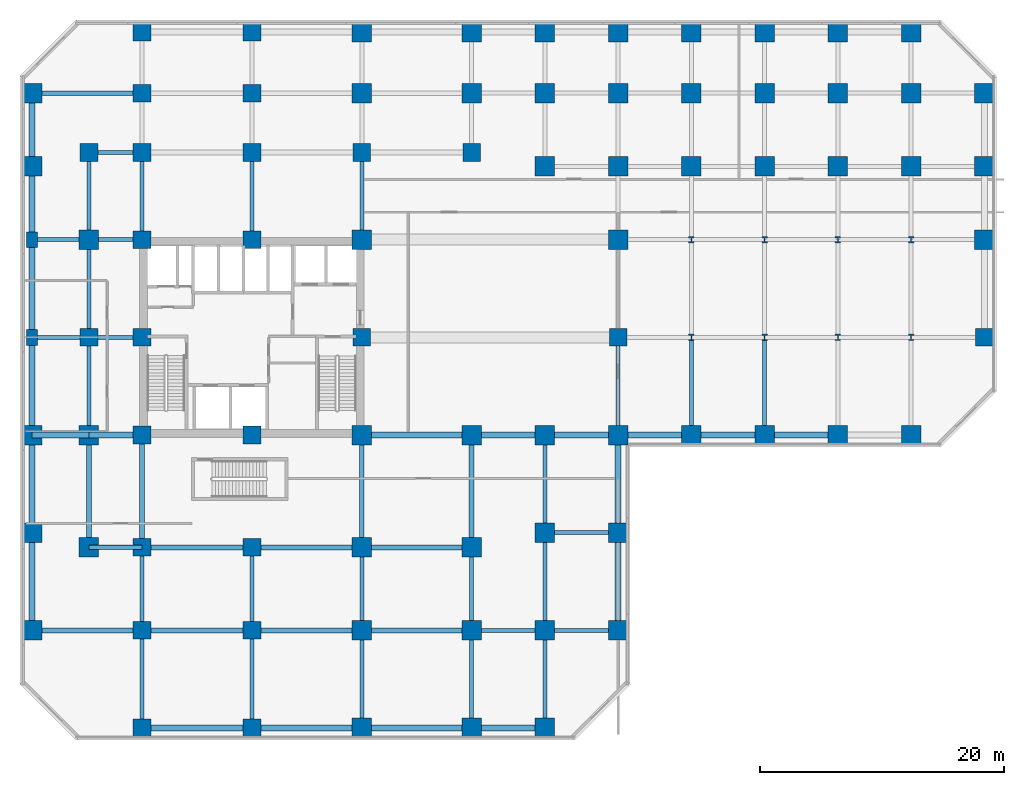
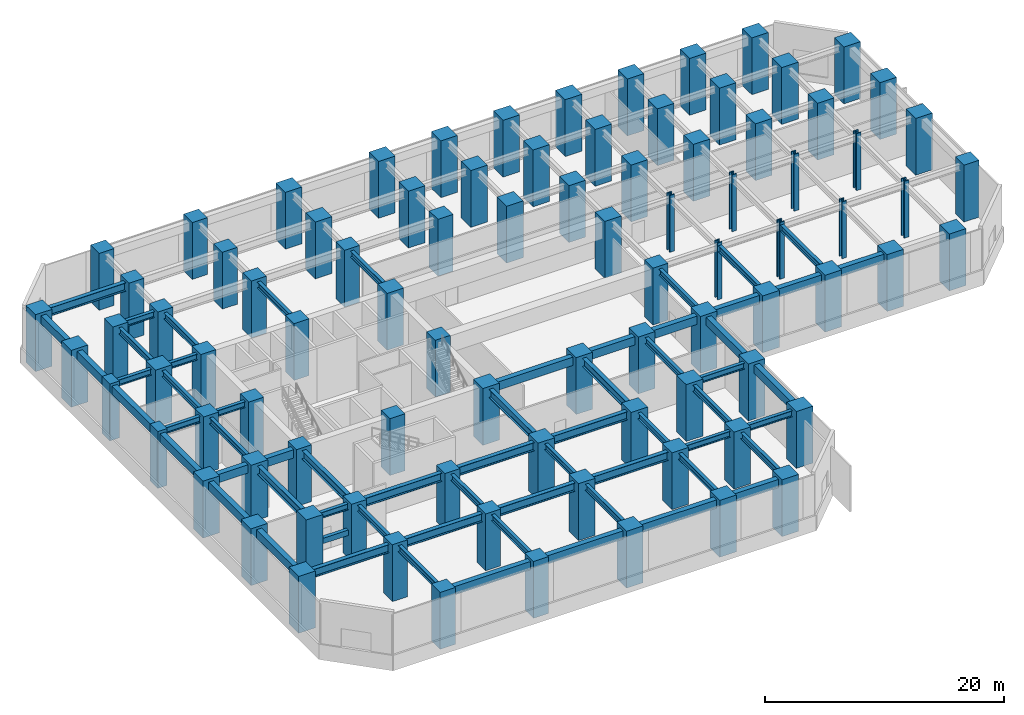
# One storey, part 1 of 12: 88 columns, 62 beams.
"""IFC4 building model written with IfcOpenShell, lengths in metres."""

from ifc_helpers import new_model, si_unit, direction, frame, origin, origin_2d, place, context, subcontext, project, spatial, rectangle, i_section, extrude, source, transform, mapped, material, material_profile, profile_set, type_object, element, save


model = new_model("IFC4")

# Units and contexts
model_context = context("Model", 3, precision=1e-05, world=origin(), true_north=direction((0.0, 1.0)))
body_context = subcontext(model_context, "Body", "Model", "MODEL_VIEW")
ifc_project = project(units=[si_unit("LENGTHUNIT", "METRE"), si_unit("AREAUNIT", "SQUARE_METRE"), si_unit("VOLUMEUNIT", "CUBIC_METRE"), si_unit("PLANEANGLEUNIT", "RADIAN"), si_unit("MASSUNIT", "GRAM", prefix="KILO")], contexts=[model_context])

# Site, building, storey
site_placement = place(None, origin())
site = spatial("IfcSite", under=ifc_project, at=site_placement, CompositionType="ELEMENT")
building_placement = place(site_placement, origin())
building = spatial("IfcBuilding", under=site, at=building_placement, Name="Torre Montelarca", CompositionType="ELEMENT")
storey_placement = place(building_placement, frame((0.0, 0.0, 22.199951171875)))
storey = spatial("IfcBuildingStorey", under=building, at=storey_placement, Name="L05", CompositionType="ELEMENT", Elevation=22.199951171875)

# Columns
ifc_material_1 = material(Name="Concrete C70/85", Category="concrete")
ifc_material_profile_1 = material_profile(ifc_material_1, rectangle(XDim=1.60009765625, YDim=1.60009765625, at=origin_2d()), Name="RC1600X1600", Category="concrete")
ifc_profile_set_1 = profile_set([ifc_material_profile_1], Name="Concrete C70/85")
column_type_1 = type_object("IfcColumnType", Name="COL-RC1600-EXT", PredefinedType="COLUMN", material=ifc_profile_set_1)
shared_shape_1 = source(origin(), body_context, "Body", "SweptSolid", [
    extrude(rectangle(XDim=1.60009765625, YDim=1.60009765625, at=origin_2d()), origin(), (0.0, 0.0, 1.0), 5.798583984375),
])
for number, where, z_axis, x_axis, name in (
    (1, (0.0, 8.0, 0.000732421875), (0.0, 0.0, 1.0), (1.0, 0.0, 0.0), "L05 Perimeter Mega Column 1/B"),
    (2, (0.0, 16.0, 0.000732421875), (0.0, 0.0, 1.0), (1.0, 0.0, 0.0), "L05 Perimeter Mega Column 1/C"),
    (3, (0.0, 24.0, 0.000732421875), (0.0, 0.0, 1.0), (1.0, 0.0, 0.0), "L05 Perimeter Mega Column 1/D"),
    (4, (0.0, 46.0, 0.000732421875), (0.0, 0.0, 1.0), (1.0, 0.0, 0.0), "L05 Perimeter Mega Column 1/G"),
    (5, (0.0, 52.0, 0.000732421875), (0.0, 0.0, 1.0), (1.0, 0.0, 0.0), "L05 Perimeter Mega Column 1/H"),
    (6, (27.0, 0.0, 0.000732421875), (0.0, 0.0, 1.0), (1.0, 0.0, 0.0), "L05 Perimeter Mega Column 4/A"),
    (7, (27.0, 24.0, 0.000732421875), (0.0, 0.0, 1.0), (1.0, 0.0, 0.0), "L05 Perimeter Mega Column 4/D"),
    (8, (27.0, 57.0, 0.000732421875), (0.0, 0.0, 1.0), (1.0, 0.0, 0.0), "L05 Perimeter Mega Column 4/J"),
    (9, (36.0, 0.0, 0.000732421875), (0.0, 0.0, 1.0), (1.0, 0.0, 0.0), "L05 Perimeter Mega Column 5/A"),
    (10, (36.0, 24.0, 0.000732421875), (0.0, 0.0, 1.0), (1.0, 0.0, 0.0), "L05 Perimeter Mega Column 5/D"),
    (11, (36.0, 57.0, 0.000732421875), (0.0, 0.0, 1.0), (1.0, 0.0, 0.0), "L05 Perimeter Mega Column 5/J"),
    (12, (42.0, 0.0, 0.000732421875), (0.0, 0.0, 1.0), (1.0, 0.0, 0.0), "L05 Perimeter Mega Column 6/A"),
    (13, (42.0, 24.0, 0.000732421875), (0.0, 0.0, 1.0), (1.0, 0.0, 0.0), "L05 Perimeter Mega Column 6/D"),
    (14, (42.0, 57.0, 0.000732421875), (0.0, 0.0, 1.0), (1.0, 0.0, 0.0), "L05 Perimeter Mega Column 6/J"),
    (15, (48.0, 8.0, 0.000732421875), (0.0, 0.0, 1.0), (1.0, 0.0, 0.0), "L05 Perimeter Mega Column 7/B"),
    (16, (48.0, 16.0, 0.000732421875), (0.0, 0.0, 1.0), (1.0, 0.0, 0.0), "L05 Perimeter Mega Column 7/C"),
    (17, (48.0, 24.0, 0.000732421875), (0.0, 0.0, 1.0), (1.0, 0.0, 0.0), "L05 Perimeter Mega Column 7/D"),
    (18, (48.0, 57.0, 0.000732421875), (0.0, 0.0, 1.0), (1.0, 0.0, 0.0), "L05 Perimeter Mega Column 7/J"),
    (19, (54.0, 24.0, 0.000732421875), (0.0, 0.0, 1.0), (1.0, 0.0, 0.0), "L05 Perimeter Mega Column 8/D"),
    (20, (54.0, 57.0, 0.000732421875), (0.0, 0.0, 1.0), (1.0, 0.0, 0.0), "L05 Perimeter Mega Column 8/J"),
    (21, (60.0, 24.0, 0.000732421875), (0.0, 0.0, 1.0), (1.0, 0.0, 0.0), "L05 Perimeter Mega Column 9/D"),
    (22, (60.0, 57.0, 0.000732421875), (0.0, 0.0, 1.0), (1.0, 0.0, 0.0), "L05 Perimeter Mega Column 9/J"),
    (23, (66.0, 24.0, 0.000732421875), (0.0, 0.0, 1.0), (1.0, 0.0, 0.0), "L05 Perimeter Mega Column 10/D"),
    (24, (66.0, 57.0, 0.000732421875), (0.0, 0.0, 1.0), (1.0, 0.0, 0.0), "L05 Perimeter Mega Column 10/J"),
    (25, (72.0, 24.0, 0.000732421875), (0.0, 0.0, 1.0), (1.0, 0.0, 0.0), "L05 Perimeter Mega Column 11/D"),
    (26, (72.0, 57.0, 0.000732421875), (0.0, 0.0, 1.0), (1.0, 0.0, 0.0), "L05 Perimeter Mega Column 11/J"),
    (27, (78.0, 40.0, 0.000732421875), (0.0, 0.0, 1.0), (1.0, 0.0, 0.0), "L05 Perimeter Mega Column 12/F"),
    (28, (78.0, 46.0, 0.000732421875), (0.0, 0.0, 1.0), (1.0, 0.0, 0.0), "L05 Perimeter Mega Column 12/G"),
    (29, (78.0, 52.0, 0.000732421875), (0.0, 0.0, 1.0), (1.0, 0.0, 0.0), "L05 Perimeter Mega Column 12/H"),
    (30, (4.64990234375, 24.0, 0.000732421875), (0.0, 0.0, 1.0), (1.0, 0.0, 0.0), "L05 Perimeter Mega Column 1W/D"),
):
    element("IfcColumn", number, at=place(storey_placement, frame(where, z_axis=z_axis, x_axis=x_axis)), inside=storey, type_object=column_type_1, Name=name, PredefinedType="COLUMN", context=body_context, shape_type="MappedRepresentation", body=[
        mapped(shared_shape_1, transform((0.0, 0.0, 0.0), scale=1.0)),
    ])
ifc_material_2 = material(Name="Concrete C55/67", Category="concrete")
ifc_material_profile_2 = material_profile(ifc_material_2, rectangle(XDim=0.89990234375, YDim=1.300048828125, at=origin_2d()), Name="RC1300X900", Category="concrete")
ifc_profile_set_2 = profile_set([ifc_material_profile_2], Name="Concrete C55/67")
column_type_2 = type_object("IfcColumnType", Name="COL-PIL1300-EXT", PredefinedType="PILASTER", material=ifc_profile_set_2)
shared_shape_2 = source(origin(), body_context, "Body", "SweptSolid", [
    extrude(rectangle(XDim=0.89990234375, YDim=1.300048828125, at=origin_2d()), origin(), (0.0, 0.0, 1.0), 5.798583984375),
])
for number, where, z_axis, x_axis, name in (
    (31, (0.0, 32.0, 0.000732421875), (0.0, 0.0, 1.0), (1.0, 0.0, 0.0), "L05 Column 1/E"),
    (32, (0.0, 40.0, 0.000732421875), (0.0, 0.0, 1.0), (1.0, 0.0, 0.0), "L05 Column 1/F"),
):
    element("IfcColumn", number, at=place(storey_placement, frame(where, z_axis=z_axis, x_axis=x_axis)), inside=storey, type_object=column_type_2, Name=name, PredefinedType="PILASTER", context=body_context, shape_type="MappedRepresentation", body=[
        mapped(shared_shape_2, transform((0.0, 0.0, 0.0), scale=1.0)),
    ])
ifc_material_profile_3 = material_profile(ifc_material_1, rectangle(XDim=1.449951171875, YDim=1.449951171875, at=origin_2d()), Name="RC1450X1450", Category="concrete")
ifc_profile_set_3 = profile_set([ifc_material_profile_3], Name="Concrete C70/85")
column_type_3 = type_object("IfcColumnType", Name="COL-RC1450-EXT", PredefinedType="COLUMN", material=ifc_profile_set_3)
shared_shape_3 = source(origin(), body_context, "Body", "SweptSolid", [
    extrude(rectangle(XDim=1.449951171875, YDim=1.449951171875, at=origin_2d()), origin(), (0.0, 0.0, 1.0), 5.798583984375),
])
for number, where, z_axis, x_axis, name in (
    (33, (9.0, 0.0, 0.000732421875), (0.0, 0.0, 1.0), (1.0, 0.0, 0.0), "L05 Perimeter Mega Column 2/A"),
    (34, (9.0, 24.0, 0.000732421875), (0.0, 0.0, 1.0), (1.0, 0.0, 0.0), "L05 Perimeter Mega Column 2/D"),
    (35, (9.0, 57.0, 0.000732421875), (0.0, 0.0, 1.0), (1.0, 0.0, 0.0), "L05 Perimeter Mega Column 2/J"),
    (36, (18.0, 0.0, 0.000732421875), (0.0, 0.0, 1.0), (1.0, 0.0, 0.0), "L05 Perimeter Mega Column 3/A"),
    (37, (18.0, 24.0, 0.000732421875), (0.0, 0.0, 1.0), (1.0, 0.0, 0.0), "L05 Perimeter Mega Column 3/D"),
    (38, (18.0, 57.0, 0.000732421875), (0.0, 0.0, 1.0), (1.0, 0.0, 0.0), "L05 Perimeter Mega Column 3/J"),
    (39, (78.0, 32.0, 0.000732421875), (0.0, 0.0, 1.0), (1.0, 0.0, 0.0), "L05 Perimeter Mega Column 12/E"),
):
    element("IfcColumn", number, at=place(storey_placement, frame(where, z_axis=z_axis, x_axis=x_axis)), inside=storey, type_object=column_type_3, Name=name, PredefinedType="COLUMN", context=body_context, shape_type="MappedRepresentation", body=[
        mapped(shared_shape_3, transform((0.0, 0.0, 0.0), scale=1.0)),
    ])
ifc_material_profile_4 = material_profile(ifc_material_1, rectangle(XDim=1.449951171875, YDim=1.449951171875, at=origin_2d()), Name="RC1450X1450", Category="concrete")
ifc_profile_set_4 = profile_set([ifc_material_profile_4], Name="Concrete C70/85")
column_type_4 = type_object("IfcColumnType", Name="COL-RC1450", PredefinedType="COLUMN", material=ifc_profile_set_4)
shared_shape_4 = source(origin(), body_context, "Body", "SweptSolid", [
    extrude(rectangle(XDim=1.449951171875, YDim=1.449951171875, at=origin_2d()), origin(), (0.0, 0.0, 1.0), 5.798583984375),
])
for number, where, z_axis, x_axis, name in (
    (40, (9.0, 8.0, 0.000732421875), (0.0, 0.0, 1.0), (1.0, 0.0, 0.0), "L05 Column 2/B"),
    (41, (9.0, 32.0, 0.000732421875), (0.0, 0.0, 1.0), (1.0, 0.0, 0.0), "L05 Column 2/E"),
    (42, (9.0, 40.0, 0.000732421875), (0.0, 0.0, 1.0), (1.0, 0.0, 0.0), "L05 Column 2/F"),
    (43, (9.0, 52.0, 0.000732421875), (0.0, 0.0, 1.0), (1.0, 0.0, 0.0), "L05 Column 2/H"),
    (44, (9.0, 14.800048828125, 0.000732421875), (0.0, 0.0, 1.0), (1.0, 0.0, 0.0), "L05 Column 2/CS"),
    (45, (9.0, 47.14990234375, 0.000732421875), (0.0, 0.0, 1.0), (1.0, 0.0, 0.0), "L05 Column 2/GN"),
    (46, (18.0, 8.0, 0.000732421875), (0.0, 0.0, 1.0), (1.0, 0.0, 0.0), "L05 Column 3/B"),
    (47, (18.0, 40.0, 0.000732421875), (0.0, 0.0, 1.0), (1.0, 0.0, 0.0), "L05 Column 3/F"),
    (48, (18.0, 52.0, 0.000732421875), (0.0, 0.0, 1.0), (1.0, 0.0, 0.0), "L05 Column 3/H"),
    (49, (18.0, 14.800048828125, 0.000732421875), (0.0, 0.0, 1.0), (1.0, 0.0, 0.0), "L05 Column 3/CS"),
    (50, (18.0, 47.14990234375, 0.000732421875), (0.0, 0.0, 1.0), (1.0, 0.0, 0.0), "L05 Column 3/GN"),
    (51, (27.0, 32.0, 0.000732421875), (0.0, 0.0, 1.0), (1.0, 0.0, 0.0), "L05 Column 4/E"),
    (52, (27.0, 47.14990234375, 0.000732421875), (0.0, 0.0, 1.0), (1.0, 0.0, 0.0), "L05 Column 4/GN"),
    (53, (36.0, 47.14990234375, 0.000732421875), (0.0, 0.0, 1.0), (1.0, 0.0, 0.0), "L05 Column 5/GN"),
    (54, (48.0, 32.0, 0.000732421875), (0.0, 0.0, 1.0), (1.0, 0.0, 0.0), "L05 Column 7/E"),
    (55, (4.64990234375, 32.0, 0.000732421875), (0.0, 0.0, 1.0), (1.0, 0.0, 0.0), "L05 Column 1W/E"),
    (56, (4.64990234375, 47.14990234375, 0.000732421875), (0.0, 0.0, 1.0), (1.0, 0.0, 0.0), "L05 Column 1W/GN"),
):
    element("IfcColumn", number, at=place(storey_placement, frame(where, z_axis=z_axis, x_axis=x_axis)), inside=storey, type_object=column_type_4, Name=name, PredefinedType="COLUMN", context=body_context, shape_type="MappedRepresentation", body=[
        mapped(shared_shape_4, transform((0.0, 0.0, 0.0), scale=1.0)),
    ])
ifc_material_profile_5 = material_profile(ifc_material_1, rectangle(XDim=1.60009765625, YDim=1.60009765625, at=origin_2d()), Name="RC1600X1600", Category="concrete")
ifc_profile_set_5 = profile_set([ifc_material_profile_5], Name="Concrete C70/85")
column_type_5 = type_object("IfcColumnType", Name="COL-RC1600", PredefinedType="COLUMN", material=ifc_profile_set_5)
shared_shape_5 = source(origin(), body_context, "Body", "SweptSolid", [
    extrude(rectangle(XDim=1.60009765625, YDim=1.60009765625, at=origin_2d()), origin(), (0.0, 0.0, 1.0), 5.798583984375),
])
for number, where, z_axis, x_axis, name in (
    (57, (27.0, 8.0, 0.000732421875), (0.0, 0.0, 1.0), (1.0, 0.0, 0.0), "L05 Column 4/B"),
    (58, (27.0, 40.0, 0.000732421875), (0.0, 0.0, 1.0), (1.0, 0.0, 0.0), "L05 Column 4/F"),
    (59, (27.0, 52.0, 0.000732421875), (0.0, 0.0, 1.0), (1.0, 0.0, 0.0), "L05 Column 4/H"),
    (60, (27.0, 14.800048828125, 0.000732421875), (0.0, 0.0, 1.0), (1.0, 0.0, 0.0), "L05 Column 4/CS"),
    (61, (36.0, 8.0, 0.000732421875), (0.0, 0.0, 1.0), (1.0, 0.0, 0.0), "L05 Column 5/B"),
    (62, (36.0, 52.0, 0.000732421875), (0.0, 0.0, 1.0), (1.0, 0.0, 0.0), "L05 Column 5/H"),
    (63, (36.0, 14.800048828125, 0.000732421875), (0.0, 0.0, 1.0), (1.0, 0.0, 0.0), "L05 Column 5/CS"),
    (64, (42.0, 8.0, 0.000732421875), (0.0, 0.0, 1.0), (1.0, 0.0, 0.0), "L05 Column 6/B"),
    (65, (42.0, 16.0, 0.000732421875), (0.0, 0.0, 1.0), (1.0, 0.0, 0.0), "L05 Column 6/C"),
    (66, (42.0, 46.0, 0.000732421875), (0.0, 0.0, 1.0), (1.0, 0.0, 0.0), "L05 Column 6/G"),
    (67, (42.0, 52.0, 0.000732421875), (0.0, 0.0, 1.0), (1.0, 0.0, 0.0), "L05 Column 6/H"),
    (68, (48.0, 40.0, 0.000732421875), (0.0, 0.0, 1.0), (1.0, 0.0, 0.0), "L05 Column 7/F"),
    (69, (48.0, 46.0, 0.000732421875), (0.0, 0.0, 1.0), (1.0, 0.0, 0.0), "L05 Column 7/G"),
    (70, (48.0, 52.0, 0.000732421875), (0.0, 0.0, 1.0), (1.0, 0.0, 0.0), "L05 Column 7/H"),
    (71, (54.0, 46.0, 0.000732421875), (0.0, 0.0, 1.0), (1.0, 0.0, 0.0), "L05 Column 8/G"),
    (72, (54.0, 52.0, 0.000732421875), (0.0, 0.0, 1.0), (1.0, 0.0, 0.0), "L05 Column 8/H"),
    (73, (60.0, 46.0, 0.000732421875), (0.0, 0.0, 1.0), (1.0, 0.0, 0.0), "L05 Column 9/G"),
    (74, (60.0, 52.0, 0.000732421875), (0.0, 0.0, 1.0), (1.0, 0.0, 0.0), "L05 Column 9/H"),
    (75, (66.0, 46.0, 0.000732421875), (0.0, 0.0, 1.0), (1.0, 0.0, 0.0), "L05 Column 10/G"),
    (76, (66.0, 52.0, 0.000732421875), (0.0, 0.0, 1.0), (1.0, 0.0, 0.0), "L05 Column 10/H"),
    (77, (72.0, 46.0, 0.000732421875), (0.0, 0.0, 1.0), (1.0, 0.0, 0.0), "L05 Column 11/G"),
    (78, (72.0, 52.0, 0.000732421875), (0.0, 0.0, 1.0), (1.0, 0.0, 0.0), "L05 Column 11/H"),
    (79, (4.64990234375, 40.0, 0.000732421875), (0.0, 0.0, 1.0), (1.0, 0.0, 0.0), "L05 Column 1W/F"),
    (80, (4.64990234375, 14.800048828125, 0.000732421875), (0.0, 0.0, 1.0), (1.0, 0.0, 0.0), "L05 Column 1W/CS"),
):
    element("IfcColumn", number, at=place(storey_placement, frame(where, z_axis=z_axis, x_axis=x_axis)), inside=storey, type_object=column_type_5, Name=name, PredefinedType="COLUMN", context=body_context, shape_type="MappedRepresentation", body=[
        mapped(shared_shape_5, transform((0.0, 0.0, 0.0), scale=1.0)),
    ])
ifc_material_3 = material(Name="Steel ASTM A992 Grade 50", Category="steel")
ifc_material_profile_6 = material_profile(ifc_material_3, i_section(OverallWidth=0.44189453125, OverallDepth=0.531005859375, WebThickness=0.06591796875, FlangeThickness=0.10595703125, FilletRadius=0.014892578125, at=origin_2d()), Name="W360X900", Category="steel")
ifc_profile_set_6 = profile_set([ifc_material_profile_6], Name="Steel ASTM A992 Grade 50")
column_type_6 = type_object("IfcColumnType", Name="COL-W360X900", PredefinedType="COLUMN", material=ifc_profile_set_6)
shared_shape_6 = source(origin(), body_context, "Body", "SweptSolid", [
    extrude(i_section(OverallWidth=0.44189453125, OverallDepth=0.531005859375, WebThickness=0.06591796875, FlangeThickness=0.10595703125, FilletRadius=0.014892578125, at=origin_2d()), origin(), (0.0, 0.0, 1.0), 5.798583984375),
])
for number, where, z_axis, x_axis, name in (
    (81, (54.0, 32.0, 0.000732421875), (0.0, 0.0, 1.0), (1.0, 0.0, 0.0), "L05 Column 8/E"),
    (82, (54.0, 40.0, 0.000732421875), (0.0, 0.0, 1.0), (1.0, 0.0, 0.0), "L05 Column 8/F"),
    (83, (60.0, 32.0, 0.000732421875), (0.0, 0.0, 1.0), (1.0, 0.0, 0.0), "L05 Column 9/E"),
    (84, (60.0, 40.0, 0.000732421875), (0.0, 0.0, 1.0), (1.0, 0.0, 0.0), "L05 Column 9/F"),
    (85, (66.0, 32.0, 0.000732421875), (0.0, 0.0, 1.0), (1.0, 0.0, 0.0), "L05 Column 10/E"),
    (86, (66.0, 40.0, 0.000732421875), (0.0, 0.0, 1.0), (1.0, 0.0, 0.0), "L05 Column 10/F"),
    (87, (72.0, 32.0, 0.000732421875), (0.0, 0.0, 1.0), (1.0, 0.0, 0.0), "L05 Column 11/E"),
    (88, (72.0, 40.0, 0.000732421875), (0.0, 0.0, 1.0), (1.0, 0.0, 0.0), "L05 Column 11/F"),
):
    element("IfcColumn", number, at=place(storey_placement, frame(where, z_axis=z_axis, x_axis=x_axis)), inside=storey, type_object=column_type_6, Name=name, PredefinedType="COLUMN", context=body_context, shape_type="MappedRepresentation", body=[
        mapped(shared_shape_6, transform((0.0, 0.0, 0.0), scale=1.0)),
    ])

# Beams
ifc_material_profile_7 = material_profile(ifc_material_2, rectangle(XDim=0.5, YDim=0.85009765625, at=origin_2d()), Name="RCB500X850", Category="concrete")
ifc_profile_set_7 = profile_set([ifc_material_profile_7], Name="Concrete C55/67")
beam_type_1 = type_object("IfcBeamType", Name="BM-SP-RC850-EXT", PredefinedType="SPANDREL", material=ifc_profile_set_7)
shared_shape_7 = source(origin(), body_context, "Body", "SweptSolid", [
    extrude(rectangle(XDim=0.5, YDim=0.85009765625, at=origin_2d()), origin(), (0.0, 0.0, 1.0), 9.0),
])
for number, where, z_axis, x_axis, name in (
    (89, (9.0, 0.0, 5.094970703125), (1.0, 0.0, 0.0), (0.0, 1.0, 0.0), "L05 Grid Girder X 9.0-18.0 at Y=0.0"),
    (90, (18.0, 0.0, 5.094970703125), (1.0, 0.0, 0.0), (0.0, 1.0, 0.0), "L05 Grid Girder X 18.0-27.0 at Y=0.0"),
    (91, (27.0, 0.0, 5.094970703125), (1.0, 0.0, 0.0), (0.0, 1.0, 0.0), "L05 Grid Girder X 27.0-36.0 at Y=0.0"),
    (92, (27.0, 24.0, 5.094970703125), (1.0, 0.0, 0.0), (0.0, 1.0, 0.0), "L05 Grid Girder X 27.0-36.0 at Y=24.0"),
):
    element("IfcBeam", number, at=place(storey_placement, frame(where, z_axis=z_axis, x_axis=x_axis)), inside=storey, type_object=beam_type_1, Name=name, PredefinedType="SPANDREL", context=body_context, shape_type="MappedRepresentation", body=[
        mapped(shared_shape_7, transform((0.0, 0.0, 0.0), scale=1.0)),
    ])
shared_shape_8 = source(origin(), body_context, "Body", "SweptSolid", [
    extrude(rectangle(XDim=0.5, YDim=0.85009765625, at=origin_2d()), origin(), (0.0, 0.0, 1.0), 6.0),
])
for number, where, z_axis, x_axis, name in (
    (93, (36.0, 0.0, 5.094970703125), (1.0, 0.0, 0.0), (0.0, 1.0, 0.0), "L05 Grid Girder X 36.0-42.0 at Y=0.0"),
    (94, (36.0, 24.0, 5.094970703125), (1.0, 0.0, 0.0), (0.0, 1.0, 0.0), "L05 Grid Girder X 36.0-42.0 at Y=24.0"),
    (95, (42.0, 24.0, 5.094970703125), (1.0, 0.0, 0.0), (0.0, 1.0, 0.0), "L05 Grid Girder X 42.0-48.0 at Y=24.0"),
    (96, (48.0, 24.0, 5.094970703125), (1.0, 0.0, 0.0), (0.0, 1.0, 0.0), "L05 Grid Girder X 48.0-54.0 at Y=24.0"),
    (97, (54.0, 24.0, 5.094970703125), (1.0, 0.0, 0.0), (0.0, 1.0, 0.0), "L05 Grid Girder X 54.0-60.0 at Y=24.0"),
    (98, (60.0, 24.0, 5.094970703125), (1.0, 0.0, 0.0), (0.0, 1.0, 0.0), "L05 Grid Girder X 60.0-66.0 at Y=24.0"),
    (99, (0.0, 40.0, 5.094970703125), (0.0, 1.0, 0.0), (-1.0, 0.0, 0.0), "L05 Grid Girder Y 40.0-46.0 at X=0.0"),
    (100, (0.0, 46.0, 5.094970703125), (0.0, 1.0, 0.0), (-1.0, 0.0, 0.0), "L05 Grid Girder Y 46.0-52.0 at X=0.0"),
):
    element("IfcBeam", number, at=place(storey_placement, frame(where, z_axis=z_axis, x_axis=x_axis)), inside=storey, type_object=beam_type_1, Name=name, PredefinedType="SPANDREL", context=body_context, shape_type="MappedRepresentation", body=[
        mapped(shared_shape_8, transform((0.0, 0.0, 0.0), scale=1.0)),
    ])
ifc_material_profile_8 = material_profile(ifc_material_3, i_section(OverallWidth=0.39990234375, OverallDepth=0.85498046875, WebThickness=0.018310546875, FlangeThickness=0.029296875, FilletRadius=0.02001953125, at=origin_2d()), Name="W840X299", Category="steel")
ifc_profile_set_8 = profile_set([ifc_material_profile_8], Name="Steel ASTM A992 Grade 50")
beam_type_2 = type_object("IfcBeamType", Name="BM-G-W840", PredefinedType="BEAM", material=ifc_profile_set_8)
shared_shape_9 = source(origin(), body_context, "Body", "SweptSolid", [
    extrude(i_section(OverallWidth=0.39990234375, OverallDepth=0.85498046875, WebThickness=0.018310546875, FlangeThickness=0.029296875, FilletRadius=0.02001953125, at=origin_2d()), origin(), (0.0, 0.0, 1.0), 9.0),
])
for number, where, z_axis, x_axis, name in (
    (101, (0.0, 8.0, 5.092041015625), (1.0, 0.0, 0.0), (0.0, 1.0, 0.0), "L05 Grid Girder X 0.0-9.0 at Y=8.0"),
    (102, (9.0, 8.0, 5.092041015625), (1.0, 0.0, 0.0), (0.0, 1.0, 0.0), "L05 Grid Girder X 9.0-18.0 at Y=8.0"),
    (103, (18.0, 8.0, 5.092041015625), (1.0, 0.0, 0.0), (0.0, 1.0, 0.0), "L05 Grid Girder X 18.0-27.0 at Y=8.0"),
    (104, (27.0, 8.0, 5.092041015625), (1.0, 0.0, 0.0), (0.0, 1.0, 0.0), "L05 Grid Girder X 27.0-36.0 at Y=8.0"),
    (105, (9.0, 14.800048828125, 5.092041015625), (1.0, 0.0, 0.0), (0.0, 1.0, 0.0), "L05 Grid Girder X 9.0-18.0 at Y=14.8"),
    (106, (18.0, 14.800048828125, 5.092041015625), (1.0, 0.0, 0.0), (0.0, 1.0, 0.0), "L05 Grid Girder X 18.0-27.0 at Y=14.8"),
    (107, (27.0, 14.800048828125, 5.092041015625), (1.0, 0.0, 0.0), (0.0, 1.0, 0.0), "L05 Grid Girder X 27.0-36.0 at Y=14.8"),
    (108, (0.0, 52.0, 5.092041015625), (1.0, 0.0, 0.0), (0.0, 1.0, 0.0), "L05 Grid Girder X 0.0-9.0 at Y=52.0"),
):
    element("IfcBeam", number, at=place(storey_placement, frame(where, z_axis=z_axis, x_axis=x_axis)), inside=storey, type_object=beam_type_2, Name=name, PredefinedType="BEAM", context=body_context, shape_type="MappedRepresentation", body=[
        mapped(shared_shape_9, transform((0.0, 0.0, 0.0), scale=1.0)),
    ])
ifc_material_profile_9 = material_profile(ifc_material_3, i_section(OverallWidth=0.326904296875, OverallDepth=0.6220703125, WebThickness=0.015380859375, FlangeThickness=0.0244140625, FilletRadius=0.014892578125, at=origin_2d()), Name="W610X195", Category="steel")
ifc_profile_set_9 = profile_set([ifc_material_profile_9], Name="Steel ASTM A992 Grade 50")
beam_type_3 = type_object("IfcBeamType", Name="BM-G-W610H", PredefinedType="BEAM", material=ifc_profile_set_9)
shared_shape_10 = source(origin(), body_context, "Body", "SweptSolid", [
    extrude(i_section(OverallWidth=0.326904296875, OverallDepth=0.6220703125, WebThickness=0.015380859375, FlangeThickness=0.0244140625, FilletRadius=0.014892578125, at=origin_2d()), origin(), (0.0, 0.0, 1.0), 6.0),
])
for number, where, z_axis, x_axis, name in (
    (109, (36.0, 8.0, 5.208984375), (1.0, 0.0, 0.0), (0.0, 1.0, 0.0), "L05 Grid Girder X 36.0-42.0 at Y=8.0"),
    (110, (42.0, 8.0, 5.208984375), (1.0, 0.0, 0.0), (0.0, 1.0, 0.0), "L05 Grid Girder X 42.0-48.0 at Y=8.0"),
    (111, (42.0, 16.0, 5.208984375), (1.0, 0.0, 0.0), (0.0, 1.0, 0.0), "L05 Grid Girder X 42.0-48.0 at Y=16.0"),
):
    element("IfcBeam", number, at=place(storey_placement, frame(where, z_axis=z_axis, x_axis=x_axis)), inside=storey, type_object=beam_type_3, Name=name, PredefinedType="BEAM", context=body_context, shape_type="MappedRepresentation", body=[
        mapped(shared_shape_10, transform((0.0, 0.0, 0.0), scale=1.0)),
    ])
shared_shape_11 = source(origin(), body_context, "Body", "SweptSolid", [
    extrude(i_section(OverallWidth=0.326904296875, OverallDepth=0.6220703125, WebThickness=0.015380859375, FlangeThickness=0.0244140625, FilletRadius=0.014892578125, at=origin_2d()), origin(), (0.0, 0.0, 1.0), 4.35009765625),
])
for number, where, z_axis, x_axis, name in (
    (112, (4.64990234375, 14.800048828125, 5.208984375), (1.0, 0.0, 0.0), (0.0, 1.0, 0.0), "L05 Grid Girder X 4.7-9.0 at Y=14.8"),
    (113, (4.64990234375, 32.0, 5.208984375), (1.0, 0.0, 0.0), (0.0, 1.0, 0.0), "L05 Grid Girder X 4.7-9.0 at Y=32.0"),
    (114, (4.64990234375, 40.0, 5.208984375), (1.0, 0.0, 0.0), (0.0, 1.0, 0.0), "L05 Grid Girder X 4.7-9.0 at Y=40.0"),
    (115, (4.64990234375, 47.14990234375, 5.208984375), (1.0, 0.0, 0.0), (0.0, 1.0, 0.0), "L05 Grid Girder X 4.7-9.0 at Y=47.1"),
):
    element("IfcBeam", number, at=place(storey_placement, frame(where, z_axis=z_axis, x_axis=x_axis)), inside=storey, type_object=beam_type_3, Name=name, PredefinedType="BEAM", context=body_context, shape_type="MappedRepresentation", body=[
        mapped(shared_shape_11, transform((0.0, 0.0, 0.0), scale=1.0)),
    ])
shared_shape_12 = source(origin(), body_context, "Body", "SweptSolid", [
    extrude(rectangle(XDim=0.5, YDim=0.85009765625, at=origin_2d()), origin(), (0.0, 0.0, 1.0), 4.64990234375),
])
beam_1_placement = place(storey_placement, frame((0.0, 24.0, 5.094970703125), z_axis=(1.0, 0.0, 0.0), x_axis=(0.0, 1.0, 0.0)))
element("IfcBeam", 116, at=beam_1_placement, inside=storey, type_object=beam_type_1, Name="L05 Grid Girder X 0.0-4.7 at Y=24.0", PredefinedType="SPANDREL", context=body_context, shape_type="MappedRepresentation", body=[
    mapped(shared_shape_12, transform((0.0, 0.0, 0.0), scale=1.0)),
])
shared_shape_13 = source(origin(), body_context, "Body", "SweptSolid", [
    extrude(rectangle(XDim=0.5, YDim=0.85009765625, at=origin_2d()), origin(), (0.0, 0.0, 1.0), 4.35009765625),
])
beam_2_placement = place(storey_placement, frame((4.64990234375, 24.0, 5.094970703125), z_axis=(1.0, 0.0, 0.0), x_axis=(0.0, 1.0, 0.0)))
element("IfcBeam", 117, at=beam_2_placement, inside=storey, type_object=beam_type_1, Name="L05 Grid Girder X 4.7-9.0 at Y=24.0", PredefinedType="SPANDREL", context=body_context, shape_type="MappedRepresentation", body=[
    mapped(shared_shape_13, transform((0.0, 0.0, 0.0), scale=1.0)),
])
shared_shape_14 = source(origin(), body_context, "Body", "SweptSolid", [
    extrude(i_section(OverallWidth=0.326904296875, OverallDepth=0.6220703125, WebThickness=0.015380859375, FlangeThickness=0.0244140625, FilletRadius=0.014892578125, at=origin_2d()), origin(), (0.0, 0.0, 1.0), 4.64990234375),
])
for number, where, z_axis, x_axis, name in (
    (118, (0.0, 32.0, 5.208984375), (1.0, 0.0, 0.0), (0.0, 1.0, 0.0), "L05 Grid Girder X 0.0-4.7 at Y=32.0"),
    (119, (0.0, 40.0, 5.208984375), (1.0, 0.0, 0.0), (0.0, 1.0, 0.0), "L05 Grid Girder X 0.0-4.7 at Y=40.0"),
):
    element("IfcBeam", number, at=place(storey_placement, frame(where, z_axis=z_axis, x_axis=x_axis)), inside=storey, type_object=beam_type_3, Name=name, PredefinedType="BEAM", context=body_context, shape_type="MappedRepresentation", body=[
        mapped(shared_shape_14, transform((0.0, 0.0, 0.0), scale=1.0)),
    ])
shared_shape_15 = source(origin(), body_context, "Body", "SweptSolid", [
    extrude(rectangle(XDim=0.5, YDim=0.85009765625, at=origin_2d()), origin(), (0.0, 0.0, 1.0), 8.0),
])
for number, where, z_axis, x_axis, name in (
    (120, (0.0, 8.0, 5.094970703125), (0.0, 1.0, 0.0), (-1.0, 0.0, 0.0), "L05 Grid Girder Y 8.0-16.0 at X=0.0"),
    (121, (0.0, 16.0, 5.094970703125), (0.0, 1.0, 0.0), (-1.0, 0.0, 0.0), "L05 Grid Girder Y 16.0-24.0 at X=0.0"),
    (122, (0.0, 24.0, 5.094970703125), (0.0, 1.0, 0.0), (-1.0, 0.0, 0.0), "L05 Grid Girder Y 24.0-32.0 at X=0.0"),
    (123, (0.0, 32.0, 5.094970703125), (0.0, 1.0, 0.0), (-1.0, 0.0, 0.0), "L05 Grid Girder Y 32.0-40.0 at X=0.0"),
    (124, (48.0, 8.0, 5.094970703125), (0.0, 1.0, 0.0), (-1.0, 0.0, 0.0), "L05 Grid Girder Y 8.0-16.0 at X=48.0"),
    (125, (48.0, 16.0, 5.094970703125), (0.0, 1.0, 0.0), (-1.0, 0.0, 0.0), "L05 Grid Girder Y 16.0-24.0 at X=48.0"),
):
    element("IfcBeam", number, at=place(storey_placement, frame(where, z_axis=z_axis, x_axis=x_axis)), inside=storey, type_object=beam_type_1, Name=name, PredefinedType="SPANDREL", context=body_context, shape_type="MappedRepresentation", body=[
        mapped(shared_shape_15, transform((0.0, 0.0, 0.0), scale=1.0)),
    ])
shared_shape_16 = source(origin(), body_context, "Body", "SweptSolid", [
    extrude(i_section(OverallWidth=0.39990234375, OverallDepth=0.85498046875, WebThickness=0.018310546875, FlangeThickness=0.029296875, FilletRadius=0.02001953125, at=origin_2d()), origin(), (0.0, 0.0, 1.0), 9.199951171875),
])
for number, where, z_axis, x_axis, name in (
    (126, (4.64990234375, 14.800048828125, 5.092041015625), (0.0, 1.0, 0.0), (-1.0, 0.0, 0.0), "L05 Grid Girder Y 14.8-24.0 at X=4.7"),
    (127, (9.0, 14.800048828125, 5.092041015625), (0.0, 1.0, 0.0), (-1.0, 0.0, 0.0), "L05 Grid Girder Y 14.8-24.0 at X=9.0"),
    (128, (27.0, 14.800048828125, 5.092041015625), (0.0, 1.0, 0.0), (-1.0, 0.0, 0.0), "L05 Grid Girder Y 14.8-24.0 at X=27.0"),
    (129, (36.0, 14.800048828125, 5.092041015625), (0.0, 1.0, 0.0), (-1.0, 0.0, 0.0), "L05 Grid Girder Y 14.8-24.0 at X=36.0"),
):
    element("IfcBeam", number, at=place(storey_placement, frame(where, z_axis=z_axis, x_axis=x_axis)), inside=storey, type_object=beam_type_2, Name=name, PredefinedType="BEAM", context=body_context, shape_type="MappedRepresentation", body=[
        mapped(shared_shape_16, transform((0.0, 0.0, 0.0), scale=1.0)),
    ])
shared_shape_17 = source(origin(), body_context, "Body", "SweptSolid", [
    extrude(i_section(OverallWidth=0.326904296875, OverallDepth=0.6220703125, WebThickness=0.015380859375, FlangeThickness=0.0244140625, FilletRadius=0.014892578125, at=origin_2d()), origin(), (0.0, 0.0, 1.0), 8.0),
])
for number, where, z_axis, x_axis, name in (
    (130, (4.64990234375, 24.0, 5.208984375), (0.0, 1.0, 0.0), (-1.0, 0.0, 0.0), "L05 Grid Girder Y 24.0-32.0 at X=4.7"),
    (131, (4.64990234375, 32.0, 5.208984375), (0.0, 1.0, 0.0), (-1.0, 0.0, 0.0), "L05 Grid Girder Y 32.0-40.0 at X=4.7"),
    (132, (9.0, 0.0, 5.208984375), (0.0, 1.0, 0.0), (-1.0, 0.0, 0.0), "L05 Grid Girder Y 0.0-8.0 at X=9.0"),
    (133, (18.0, 0.0, 5.208984375), (0.0, 1.0, 0.0), (-1.0, 0.0, 0.0), "L05 Grid Girder Y 0.0-8.0 at X=18.0"),
    (134, (27.0, 0.0, 5.208984375), (0.0, 1.0, 0.0), (-1.0, 0.0, 0.0), "L05 Grid Girder Y 0.0-8.0 at X=27.0"),
    (135, (36.0, 0.0, 5.208984375), (0.0, 1.0, 0.0), (-1.0, 0.0, 0.0), "L05 Grid Girder Y 0.0-8.0 at X=36.0"),
    (136, (42.0, 0.0, 5.208984375), (0.0, 1.0, 0.0), (-1.0, 0.0, 0.0), "L05 Grid Girder Y 0.0-8.0 at X=42.0"),
    (137, (42.0, 8.0, 5.208984375), (0.0, 1.0, 0.0), (-1.0, 0.0, 0.0), "L05 Grid Girder Y 8.0-16.0 at X=42.0"),
    (138, (42.0, 16.0, 5.208984375), (0.0, 1.0, 0.0), (-1.0, 0.0, 0.0), "L05 Grid Girder Y 16.0-24.0 at X=42.0"),
    (139, (48.0, 24.0, 5.208984375), (0.0, 1.0, 0.0), (-1.0, 0.0, 0.0), "L05 Grid Girder Y 24.0-32.0 at X=48.0"),
    (140, (54.0, 24.0, 5.208984375), (0.0, 1.0, 0.0), (-1.0, 0.0, 0.0), "L05 Grid Girder Y 24.0-32.0 at X=54.0"),
    (141, (60.0, 24.0, 5.208984375), (0.0, 1.0, 0.0), (-1.0, 0.0, 0.0), "L05 Grid Girder Y 24.0-32.0 at X=60.0"),
):
    element("IfcBeam", number, at=place(storey_placement, frame(where, z_axis=z_axis, x_axis=x_axis)), inside=storey, type_object=beam_type_3, Name=name, PredefinedType="BEAM", context=body_context, shape_type="MappedRepresentation", body=[
        mapped(shared_shape_17, transform((0.0, 0.0, 0.0), scale=1.0)),
    ])
shared_shape_18 = source(origin(), body_context, "Body", "SweptSolid", [
    extrude(i_section(OverallWidth=0.326904296875, OverallDepth=0.6220703125, WebThickness=0.015380859375, FlangeThickness=0.0244140625, FilletRadius=0.014892578125, at=origin_2d()), origin(), (0.0, 0.0, 1.0), 7.14990234375),
])
for number, where, z_axis, x_axis, name in (
    (142, (4.64990234375, 40.0, 5.208984375), (0.0, 1.0, 0.0), (-1.0, 0.0, 0.0), "L05 Grid Girder Y 40.0-47.1 at X=4.7"),
    (143, (9.0, 40.0, 5.208984375), (0.0, 1.0, 0.0), (-1.0, 0.0, 0.0), "L05 Grid Girder Y 40.0-47.1 at X=9.0"),
    (144, (18.0, 40.0, 5.208984375), (0.0, 1.0, 0.0), (-1.0, 0.0, 0.0), "L05 Grid Girder Y 40.0-47.1 at X=18.0"),
    (145, (27.0, 40.0, 5.208984375), (0.0, 1.0, 0.0), (-1.0, 0.0, 0.0), "L05 Grid Girder Y 40.0-47.1 at X=27.0"),
):
    element("IfcBeam", number, at=place(storey_placement, frame(where, z_axis=z_axis, x_axis=x_axis)), inside=storey, type_object=beam_type_3, Name=name, PredefinedType="BEAM", context=body_context, shape_type="MappedRepresentation", body=[
        mapped(shared_shape_18, transform((0.0, 0.0, 0.0), scale=1.0)),
    ])
shared_shape_19 = source(origin(), body_context, "Body", "SweptSolid", [
    extrude(i_section(OverallWidth=0.326904296875, OverallDepth=0.6220703125, WebThickness=0.015380859375, FlangeThickness=0.0244140625, FilletRadius=0.014892578125, at=origin_2d()), origin(), (0.0, 0.0, 1.0), 6.800048828125),
])
for number, where, z_axis, x_axis, name in (
    (146, (9.0, 8.0, 5.208984375), (0.0, 1.0, 0.0), (-1.0, 0.0, 0.0), "L05 Grid Girder Y 8.0-14.8 at X=9.0"),
    (147, (18.0, 8.0, 5.208984375), (0.0, 1.0, 0.0), (-1.0, 0.0, 0.0), "L05 Grid Girder Y 8.0-14.8 at X=18.0"),
    (148, (27.0, 8.0, 5.208984375), (0.0, 1.0, 0.0), (-1.0, 0.0, 0.0), "L05 Grid Girder Y 8.0-14.8 at X=27.0"),
    (149, (36.0, 8.0, 5.208984375), (0.0, 1.0, 0.0), (-1.0, 0.0, 0.0), "L05 Grid Girder Y 8.0-14.8 at X=36.0"),
):
    element("IfcBeam", number, at=place(storey_placement, frame(where, z_axis=z_axis, x_axis=x_axis)), inside=storey, type_object=beam_type_3, Name=name, PredefinedType="BEAM", context=body_context, shape_type="MappedRepresentation", body=[
        mapped(shared_shape_19, transform((0.0, 0.0, 0.0), scale=1.0)),
    ])
ifc_material_profile_10 = material_profile(ifc_material_2, rectangle(XDim=0.35009765625, YDim=0.550048828125, at=origin_2d()), Name="RCB350X550", Category="concrete")
ifc_profile_set_10 = profile_set([ifc_material_profile_10], Name="Concrete C55/67")
beam_type_4 = type_object("IfcBeamType", Name="BM-LN-RC550", PredefinedType="LINTEL", material=ifc_profile_set_10)
shared_shape_20 = source(origin(), body_context, "Body", "SweptSolid", [
    extrude(rectangle(XDim=0.35009765625, YDim=0.550048828125, at=origin_2d()), origin(), (0.0, 0.0, 1.0), 4.35009765625),
])
beam_3_placement = place(storey_placement, frame((4.64990234375, 14.800048828125, 2.580078125), z_axis=(1.0, 0.0, 0.0), x_axis=(0.0, 1.0, 0.0)))
element("IfcBeam", 150, at=beam_3_placement, inside=storey, type_object=beam_type_4, Name="L05 Gallery Header Lintel Beam", PredefinedType="LINTEL", context=body_context, shape_type="MappedRepresentation", body=[
    mapped(shared_shape_20, transform((0.0, 0.0, 0.0), scale=1.0)),
])

save(model, "model.ifc")
